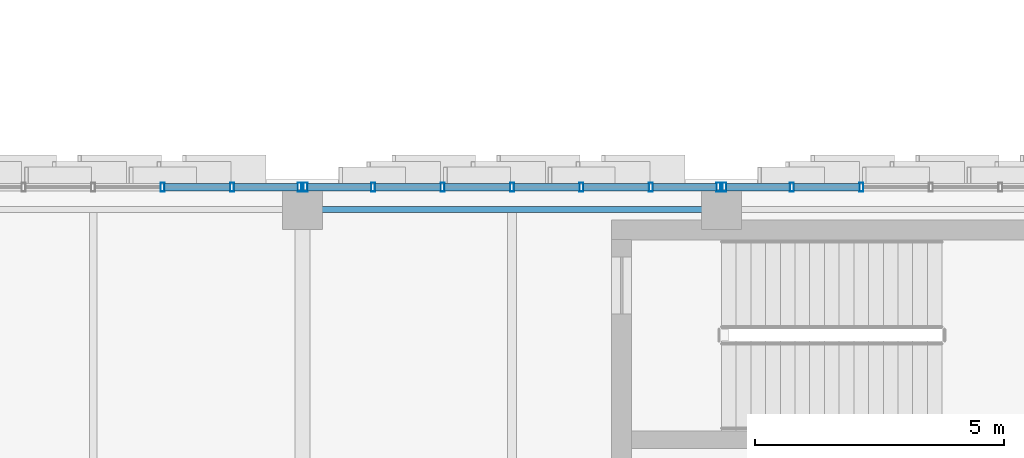
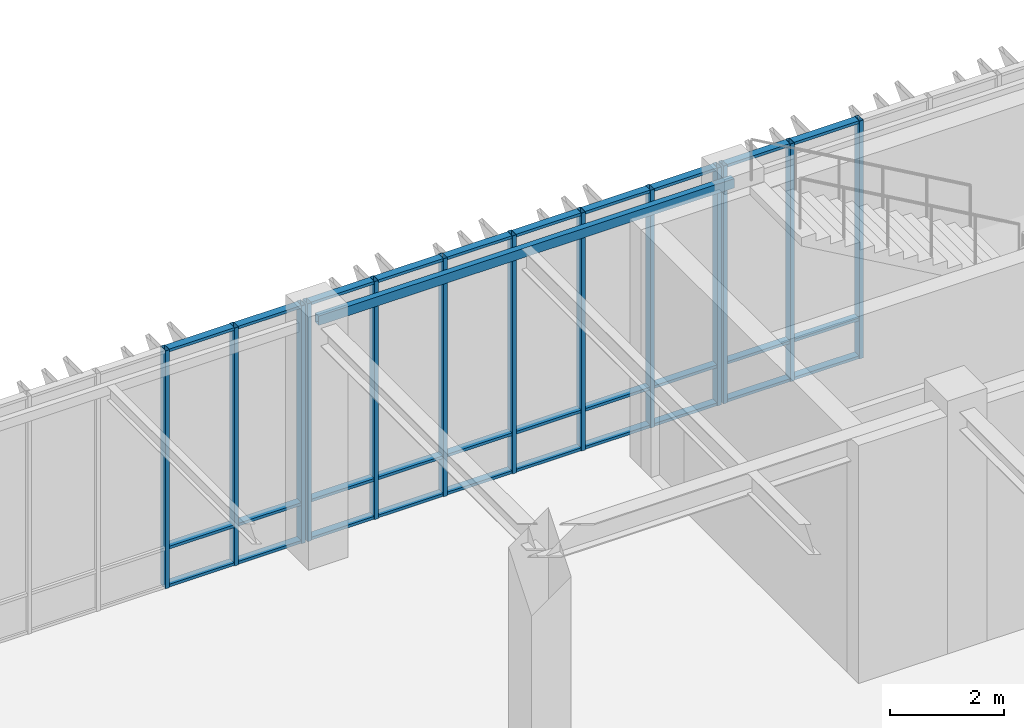
# One storey, part 70 of 139: 43 members, 1 beam, 3 elements without a shape of their own.
"""IFC4 building model written with IfcOpenShell, lengths in metres."""

from ifc_helpers import new_model, si_unit, direction, frame, origin, origin_2d, place, context, subcontext, project, spatial, hollow_rectangle, extrude, material, layer, layer_set, material_profile, profile_set, type_object, element, aggregate, save


model = new_model("IFC4")

# Units and contexts
model_context = context("Model", 3, precision=1e-05, world=origin(), true_north=direction((0.0, 1.0)))
body_context = subcontext(model_context, "Body", "Model", "MODEL_VIEW")
ifc_project = project(units=[si_unit("LENGTHUNIT", "METRE"), si_unit("AREAUNIT", "SQUARE_METRE"), si_unit("VOLUMEUNIT", "CUBIC_METRE"), si_unit("PLANEANGLEUNIT", "RADIAN"), si_unit("MASSUNIT", "GRAM", prefix="KILO")], contexts=[model_context])

# Site, building, storey
site_placement = place(None, origin())
site = spatial("IfcSite", under=ifc_project, at=site_placement, CompositionType="ELEMENT")
building_placement = place(site_placement, origin())
building = spatial("IfcBuilding", under=site, at=building_placement, Name="Zayran Congress Hotel", CompositionType="ELEMENT")
storey_placement = place(building_placement, frame((0.0, 0.0, 5.39990234375)))
storey = spatial("IfcBuildingStorey", under=building, at=storey_placement, Name="L01", CompositionType="ELEMENT", Elevation=5.39990234375)

# Beam
ifc_material_1 = material(Name="Steel S355", Category="steel")
ifc_material_profile_1 = material_profile(ifc_material_1, hollow_rectangle(XDim=0.1201171875, YDim=0.199951171875, WallThickness=0.008056640625, at=origin_2d()), Name="RHS 200x120x8")
ifc_profile_set_1 = profile_set([ifc_material_profile_1], Name="Steel S355")
beam_type = type_object("IfcBeamType", Name="TP-SP-02", PredefinedType="SPANDREL", material=ifc_profile_set_1)
beam_placement = place(storey_placement, frame((75.60009765625, 117.39990234375, 4.97998046875), z_axis=(1.0, 0.0, 0.0), x_axis=(0.0, 1.0, 0.0)))
element("IfcBeam", 1, at=beam_placement, inside=storey, type_object=beam_type, Name="BM-V1-L01-0569", PredefinedType="SPANDREL", context=body_context, shape_type="SweptSolid", body=[
    extrude(hollow_rectangle(XDim=0.1201171875, YDim=0.199951171875, WallThickness=0.008056640625, at=origin_2d()), origin(), (0.0, 0.0, 1.0), 8.39990234375),
])

# Curtain wall, members
ifc_material_2 = material(Name="Anodised aluminium and low-E insulated glass", Category="aluminium")
ifc_layer_1 = layer(ifc_material_2, 0.179931640625)
ifc_layer_set_1 = layer_set([ifc_layer_1], Name="Anodised aluminium and low-E insulated glass")
curtain_wall_type_1 = type_object("IfcCurtainWallType", Name="CW-V1N-L01-CW-22-8360-5080", PredefinedType="USERDEFINED", material=ifc_layer_set_1)
curtain_wall_1_placement = place(storey_placement, origin())
curtain_wall_1 = element("IfcCurtainWall", 2, at=curtain_wall_1_placement, inside=storey, type_object=curtain_wall_type_1, Name="CW-V1N-L01-7", ObjectType="CURTAIN WALL", PredefinedType="USERDEFINED")
ifc_material_3 = material(Name="Anodised aluminium framing", Category="aluminium")
ifc_material_profile_2 = material_profile(ifc_material_3, hollow_rectangle(XDim=0.080078125, YDim=0.179931640625, WallThickness=0.0048828125, at=origin_2d()), Name="RHS 180x80x5")
ifc_profile_set_2 = profile_set([ifc_material_profile_2], Name="Anodised aluminium framing")
member_type_1 = type_object("IfcMemberType", Name="TP-CWM-01", PredefinedType="MULLION", material=ifc_profile_set_2)
member_1_placement = place(storey_placement, frame((75.5400390625, 117.85009765625, 0.0), z_axis=(0.0, 0.0, 1.0), x_axis=(1.0, 0.0, 0.0)))
member_1 = element("IfcMember", 3, at=member_1_placement, type_object=member_type_1, Name="CW-V1N-L01-7-M00", PredefinedType="MULLION", context=body_context, shape_type="SweptSolid", body=[
    extrude(hollow_rectangle(XDim=0.080078125, YDim=0.179931640625, WallThickness=0.0048828125, at=origin_2d()), origin(), (0.0, 0.0, 1.0), 5.080078125),
])
member_2_placement = place(storey_placement, frame((74.186767578125, 117.85009765625, 0.0), z_axis=(0.0, 0.0, 1.0), x_axis=(1.0, 0.0, 0.0)))
member_2 = element("IfcMember", 4, at=member_2_placement, type_object=member_type_1, Name="CW-V1N-L01-7-M01", PredefinedType="MULLION", context=body_context, shape_type="SweptSolid", body=[
    extrude(hollow_rectangle(XDim=0.080078125, YDim=0.179931640625, WallThickness=0.0048828125, at=origin_2d()), origin(), (0.0, 0.0, 1.0), 5.080078125),
])
member_3_placement = place(storey_placement, frame((72.793212890625, 117.85009765625, 0.0), z_axis=(0.0, 0.0, 1.0), x_axis=(1.0, 0.0, 0.0)))
member_3 = element("IfcMember", 5, at=member_3_placement, type_object=member_type_1, Name="CW-V1N-L01-7-M02", PredefinedType="MULLION", context=body_context, shape_type="SweptSolid", body=[
    extrude(hollow_rectangle(XDim=0.080078125, YDim=0.179931640625, WallThickness=0.0048828125, at=origin_2d()), origin(), (0.0, 0.0, 1.0), 5.080078125),
])

ifc_layer_2 = layer(ifc_material_2, 0.179931640625)
ifc_layer_set_2 = layer_set([ifc_layer_2], Name="Anodised aluminium and low-E insulated glass")
curtain_wall_type_2 = type_object("IfcCurtainWallType", Name="CW-V1N-L01-CW-23-8360-5080", PredefinedType="USERDEFINED", material=ifc_layer_set_2)
curtain_wall_2_placement = place(storey_placement, origin())
curtain_wall_2 = element("IfcCurtainWall", 6, at=curtain_wall_2_placement, inside=storey, type_object=curtain_wall_type_2, Name="CW-V1N-L01-8", ObjectType="CURTAIN WALL", PredefinedType="USERDEFINED")
member_4_placement = place(storey_placement, frame((83.93994140625, 117.85009765625, 0.0), z_axis=(0.0, 0.0, 1.0), x_axis=(1.0, 0.0, 0.0)))
member_4 = element("IfcMember", 7, at=member_4_placement, type_object=member_type_1, Name="CW-V1N-L01-8-M00", PredefinedType="MULLION", context=body_context, shape_type="SweptSolid", body=[
    extrude(hollow_rectangle(XDim=0.080078125, YDim=0.179931640625, WallThickness=0.0048828125, at=origin_2d()), origin(), (0.0, 0.0, 1.0), 5.080078125),
])
member_5_placement = place(storey_placement, frame((82.586669921875, 117.85009765625, 0.0), z_axis=(0.0, 0.0, 1.0), x_axis=(1.0, 0.0, 0.0)))
member_5 = element("IfcMember", 8, at=member_5_placement, type_object=member_type_1, Name="CW-V1N-L01-8-M01", PredefinedType="MULLION", context=body_context, shape_type="SweptSolid", body=[
    extrude(hollow_rectangle(XDim=0.080078125, YDim=0.179931640625, WallThickness=0.0048828125, at=origin_2d()), origin(), (0.0, 0.0, 1.0), 5.080078125),
])
member_6_placement = place(storey_placement, frame((81.193359375, 117.85009765625, 0.0), z_axis=(0.0, 0.0, 1.0), x_axis=(1.0, 0.0, 0.0)))
member_6 = element("IfcMember", 9, at=member_6_placement, type_object=member_type_1, Name="CW-V1N-L01-8-M02", PredefinedType="MULLION", context=body_context, shape_type="SweptSolid", body=[
    extrude(hollow_rectangle(XDim=0.080078125, YDim=0.179931640625, WallThickness=0.0048828125, at=origin_2d()), origin(), (0.0, 0.0, 1.0), 5.080078125),
])
member_7_placement = place(storey_placement, frame((79.800048828125, 117.85009765625, 0.0), z_axis=(0.0, 0.0, 1.0), x_axis=(1.0, 0.0, 0.0)))
member_7 = element("IfcMember", 10, at=member_7_placement, type_object=member_type_1, Name="CW-V1N-L01-8-M03", PredefinedType="MULLION", context=body_context, shape_type="SweptSolid", body=[
    extrude(hollow_rectangle(XDim=0.080078125, YDim=0.179931640625, WallThickness=0.0048828125, at=origin_2d()), origin(), (0.0, 0.0, 1.0), 5.080078125),
])
member_8_placement = place(storey_placement, frame((78.40673828125, 117.85009765625, 0.0), z_axis=(0.0, 0.0, 1.0), x_axis=(1.0, 0.0, 0.0)))
member_8 = element("IfcMember", 11, at=member_8_placement, type_object=member_type_1, Name="CW-V1N-L01-8-M04", PredefinedType="MULLION", context=body_context, shape_type="SweptSolid", body=[
    extrude(hollow_rectangle(XDim=0.080078125, YDim=0.179931640625, WallThickness=0.0048828125, at=origin_2d()), origin(), (0.0, 0.0, 1.0), 5.080078125),
])
member_9_placement = place(storey_placement, frame((77.01318359375, 117.85009765625, 0.0), z_axis=(0.0, 0.0, 1.0), x_axis=(1.0, 0.0, 0.0)))
member_9 = element("IfcMember", 12, at=member_9_placement, type_object=member_type_1, Name="CW-V1N-L01-8-M05", PredefinedType="MULLION", context=body_context, shape_type="SweptSolid", body=[
    extrude(hollow_rectangle(XDim=0.080078125, YDim=0.179931640625, WallThickness=0.0048828125, at=origin_2d()), origin(), (0.0, 0.0, 1.0), 5.080078125),
])
member_10_placement = place(storey_placement, frame((75.659912109375, 117.85009765625, 0.0), z_axis=(0.0, 0.0, 1.0), x_axis=(1.0, 0.0, 0.0)))
member_10 = element("IfcMember", 13, at=member_10_placement, type_object=member_type_1, Name="CW-V1N-L01-8-M06", PredefinedType="MULLION", context=body_context, shape_type="SweptSolid", body=[
    extrude(hollow_rectangle(XDim=0.080078125, YDim=0.179931640625, WallThickness=0.0048828125, at=origin_2d()), origin(), (0.0, 0.0, 1.0), 5.080078125),
])

ifc_layer_3 = layer(ifc_material_2, 0.179931640625)
ifc_layer_set_3 = layer_set([ifc_layer_3], Name="Anodised aluminium and low-E insulated glass")
curtain_wall_type_3 = type_object("IfcCurtainWallType", Name="CW-V1N-L01-CW-21-8360-5080", PredefinedType="USERDEFINED", material=ifc_layer_set_3)
curtain_wall_3_placement = place(storey_placement, origin())
curtain_wall_3 = element("IfcCurtainWall", 14, at=curtain_wall_3_placement, inside=storey, type_object=curtain_wall_type_3, Name="CW-V1N-L01-9", ObjectType="CURTAIN WALL", PredefinedType="USERDEFINED")
member_11_placement = place(storey_placement, frame((86.806640625, 117.85009765625, 0.0), z_axis=(0.0, 0.0, 1.0), x_axis=(1.0, 0.0, 0.0)))
member_11 = element("IfcMember", 15, at=member_11_placement, type_object=member_type_1, Name="CW-V1N-L01-9-M04", PredefinedType="MULLION", context=body_context, shape_type="SweptSolid", body=[
    extrude(hollow_rectangle(XDim=0.080078125, YDim=0.179931640625, WallThickness=0.0048828125, at=origin_2d()), origin(), (0.0, 0.0, 1.0), 5.080078125),
])
member_12_placement = place(storey_placement, frame((85.413330078125, 117.85009765625, 0.0), z_axis=(0.0, 0.0, 1.0), x_axis=(1.0, 0.0, 0.0)))
member_12 = element("IfcMember", 16, at=member_12_placement, type_object=member_type_1, Name="CW-V1N-L01-9-M05", PredefinedType="MULLION", context=body_context, shape_type="SweptSolid", body=[
    extrude(hollow_rectangle(XDim=0.080078125, YDim=0.179931640625, WallThickness=0.0048828125, at=origin_2d()), origin(), (0.0, 0.0, 1.0), 5.080078125),
])
member_13_placement = place(storey_placement, frame((84.06005859375, 117.85009765625, 0.0), z_axis=(0.0, 0.0, 1.0), x_axis=(1.0, 0.0, 0.0)))
member_13 = element("IfcMember", 17, at=member_13_placement, type_object=member_type_1, Name="CW-V1N-L01-9-M06", PredefinedType="MULLION", context=body_context, shape_type="SweptSolid", body=[
    extrude(hollow_rectangle(XDim=0.080078125, YDim=0.179931640625, WallThickness=0.0048828125, at=origin_2d()), origin(), (0.0, 0.0, 1.0), 5.080078125),
])

# Member
ifc_material_profile_3 = material_profile(ifc_material_3, hollow_rectangle(XDim=0.06005859375, YDim=0.14990234375, WallThickness=0.00390625, at=origin_2d()), Name="RHS 150x60x4")
ifc_profile_set_3 = profile_set([ifc_material_profile_3], Name="Anodised aluminium framing")
member_type_2 = type_object("IfcMemberType", Name="TP-CWT-01", PredefinedType="USERDEFINED", material=ifc_profile_set_3)
member_14_placement = place(storey_placement, frame((75.5, 117.85009765625, 0.030029296875), z_axis=(-1.0, 0.0, 0.0), x_axis=(0.0, 0.0, 1.0)))
member_14 = element("IfcMember", 18, at=member_14_placement, type_object=member_type_2, Name="CW-V1N-L01-7-T00-0", ObjectType="TRANSOM", PredefinedType="USERDEFINED", context=body_context, shape_type="SweptSolid", body=[
    extrude(hollow_rectangle(XDim=0.06005859375, YDim=0.14990234375, WallThickness=0.00390625, at=origin_2d()), origin(), (0.0, 0.0, 1.0), 1.273193359375),
])

member_15_placement = place(storey_placement, frame((75.5, 117.85009765625, 0.840087890625), z_axis=(-1.0, 0.0, 0.0), x_axis=(0.0, 0.0, 1.0)))
member_15 = element("IfcMember", 19, at=member_15_placement, type_object=member_type_2, Name="CW-V1N-L01-7-T00-1", ObjectType="TRANSOM", PredefinedType="USERDEFINED", context=body_context, shape_type="SweptSolid", body=[
    extrude(hollow_rectangle(XDim=0.06005859375, YDim=0.14990234375, WallThickness=0.00390625, at=origin_2d()), origin(), (0.0, 0.0, 1.0), 1.273193359375),
])

member_16_placement = place(storey_placement, frame((75.5, 117.85009765625, 5.050048828125), z_axis=(-1.0, 0.0, 0.0), x_axis=(0.0, 0.0, 1.0)))
member_16 = element("IfcMember", 20, at=member_16_placement, type_object=member_type_2, Name="CW-V1N-L01-7-T00-2", ObjectType="TRANSOM", PredefinedType="USERDEFINED", context=body_context, shape_type="SweptSolid", body=[
    extrude(hollow_rectangle(XDim=0.06005859375, YDim=0.14990234375, WallThickness=0.00390625, at=origin_2d()), origin(), (0.0, 0.0, 1.0), 1.273193359375),
])

member_17_placement = place(storey_placement, frame((74.146728515625, 117.85009765625, 0.030029296875), z_axis=(-1.0, 0.0, 0.0), x_axis=(0.0, 0.0, 1.0)))
member_17 = element("IfcMember", 21, at=member_17_placement, type_object=member_type_2, Name="CW-V1N-L01-7-T01-0", ObjectType="TRANSOM", PredefinedType="USERDEFINED", context=body_context, shape_type="SweptSolid", body=[
    extrude(hollow_rectangle(XDim=0.06005859375, YDim=0.14990234375, WallThickness=0.00390625, at=origin_2d()), origin(), (0.0, 0.0, 1.0), 1.3134765625),
])

member_18_placement = place(storey_placement, frame((74.146728515625, 117.85009765625, 0.840087890625), z_axis=(-1.0, 0.0, 0.0), x_axis=(0.0, 0.0, 1.0)))
member_18 = element("IfcMember", 22, at=member_18_placement, type_object=member_type_2, Name="CW-V1N-L01-7-T01-1", ObjectType="TRANSOM", PredefinedType="USERDEFINED", context=body_context, shape_type="SweptSolid", body=[
    extrude(hollow_rectangle(XDim=0.06005859375, YDim=0.14990234375, WallThickness=0.00390625, at=origin_2d()), origin(), (0.0, 0.0, 1.0), 1.3134765625),
])

member_19_placement = place(storey_placement, frame((74.146728515625, 117.85009765625, 5.050048828125), z_axis=(-1.0, 0.0, 0.0), x_axis=(0.0, 0.0, 1.0)))
member_19 = element("IfcMember", 23, at=member_19_placement, type_object=member_type_2, Name="CW-V1N-L01-7-T01-2", ObjectType="TRANSOM", PredefinedType="USERDEFINED", context=body_context, shape_type="SweptSolid", body=[
    extrude(hollow_rectangle(XDim=0.06005859375, YDim=0.14990234375, WallThickness=0.00390625, at=origin_2d()), origin(), (0.0, 0.0, 1.0), 1.3134765625),
])

aggregate(curtain_wall_1, [member_1, member_2, member_3, member_14, member_15, member_16, member_17, member_18, member_19])

member_20_placement = place(storey_placement, frame((83.89990234375, 117.85009765625, 0.030029296875), z_axis=(-1.0, 0.0, 0.0), x_axis=(0.0, 0.0, 1.0)))
member_20 = element("IfcMember", 24, at=member_20_placement, type_object=member_type_2, Name="CW-V1N-L01-8-T00-0", ObjectType="TRANSOM", PredefinedType="USERDEFINED", context=body_context, shape_type="SweptSolid", body=[
    extrude(hollow_rectangle(XDim=0.06005859375, YDim=0.14990234375, WallThickness=0.00390625, at=origin_2d()), origin(), (0.0, 0.0, 1.0), 1.273193359375),
])

member_21_placement = place(storey_placement, frame((83.89990234375, 117.85009765625, 0.840087890625), z_axis=(-1.0, 0.0, 0.0), x_axis=(0.0, 0.0, 1.0)))
member_21 = element("IfcMember", 25, at=member_21_placement, type_object=member_type_2, Name="CW-V1N-L01-8-T00-1", ObjectType="TRANSOM", PredefinedType="USERDEFINED", context=body_context, shape_type="SweptSolid", body=[
    extrude(hollow_rectangle(XDim=0.06005859375, YDim=0.14990234375, WallThickness=0.00390625, at=origin_2d()), origin(), (0.0, 0.0, 1.0), 1.273193359375),
])

member_22_placement = place(storey_placement, frame((83.89990234375, 117.85009765625, 5.050048828125), z_axis=(-1.0, 0.0, 0.0), x_axis=(0.0, 0.0, 1.0)))
member_22 = element("IfcMember", 26, at=member_22_placement, type_object=member_type_2, Name="CW-V1N-L01-8-T00-2", ObjectType="TRANSOM", PredefinedType="USERDEFINED", context=body_context, shape_type="SweptSolid", body=[
    extrude(hollow_rectangle(XDim=0.06005859375, YDim=0.14990234375, WallThickness=0.00390625, at=origin_2d()), origin(), (0.0, 0.0, 1.0), 1.273193359375),
])

member_23_placement = place(storey_placement, frame((82.546630859375, 117.85009765625, 0.030029296875), z_axis=(-1.0, 0.0, 0.0), x_axis=(0.0, 0.0, 1.0)))
member_23 = element("IfcMember", 27, at=member_23_placement, type_object=member_type_2, Name="CW-V1N-L01-8-T01-0", ObjectType="TRANSOM", PredefinedType="USERDEFINED", context=body_context, shape_type="SweptSolid", body=[
    extrude(hollow_rectangle(XDim=0.06005859375, YDim=0.14990234375, WallThickness=0.00390625, at=origin_2d()), origin(), (0.0, 0.0, 1.0), 1.313232421875),
])

member_24_placement = place(storey_placement, frame((82.546630859375, 117.85009765625, 0.840087890625), z_axis=(-1.0, 0.0, 0.0), x_axis=(0.0, 0.0, 1.0)))
member_24 = element("IfcMember", 28, at=member_24_placement, type_object=member_type_2, Name="CW-V1N-L01-8-T01-1", ObjectType="TRANSOM", PredefinedType="USERDEFINED", context=body_context, shape_type="SweptSolid", body=[
    extrude(hollow_rectangle(XDim=0.06005859375, YDim=0.14990234375, WallThickness=0.00390625, at=origin_2d()), origin(), (0.0, 0.0, 1.0), 1.313232421875),
])

member_25_placement = place(storey_placement, frame((82.546630859375, 117.85009765625, 5.050048828125), z_axis=(-1.0, 0.0, 0.0), x_axis=(0.0, 0.0, 1.0)))
member_25 = element("IfcMember", 29, at=member_25_placement, type_object=member_type_2, Name="CW-V1N-L01-8-T01-2", ObjectType="TRANSOM", PredefinedType="USERDEFINED", context=body_context, shape_type="SweptSolid", body=[
    extrude(hollow_rectangle(XDim=0.06005859375, YDim=0.14990234375, WallThickness=0.00390625, at=origin_2d()), origin(), (0.0, 0.0, 1.0), 1.313232421875),
])

member_26_placement = place(storey_placement, frame((81.1533203125, 117.85009765625, 0.030029296875), z_axis=(-1.0, 0.0, 0.0), x_axis=(0.0, 0.0, 1.0)))
member_26 = element("IfcMember", 30, at=member_26_placement, type_object=member_type_2, Name="CW-V1N-L01-8-T02-0", ObjectType="TRANSOM", PredefinedType="USERDEFINED", context=body_context, shape_type="SweptSolid", body=[
    extrude(hollow_rectangle(XDim=0.06005859375, YDim=0.14990234375, WallThickness=0.00390625, at=origin_2d()), origin(), (0.0, 0.0, 1.0), 1.313232421875),
])

member_27_placement = place(storey_placement, frame((81.1533203125, 117.85009765625, 0.840087890625), z_axis=(-1.0, 0.0, 0.0), x_axis=(0.0, 0.0, 1.0)))
member_27 = element("IfcMember", 31, at=member_27_placement, type_object=member_type_2, Name="CW-V1N-L01-8-T02-1", ObjectType="TRANSOM", PredefinedType="USERDEFINED", context=body_context, shape_type="SweptSolid", body=[
    extrude(hollow_rectangle(XDim=0.06005859375, YDim=0.14990234375, WallThickness=0.00390625, at=origin_2d()), origin(), (0.0, 0.0, 1.0), 1.313232421875),
])

member_28_placement = place(storey_placement, frame((81.1533203125, 117.85009765625, 5.050048828125), z_axis=(-1.0, 0.0, 0.0), x_axis=(0.0, 0.0, 1.0)))
member_28 = element("IfcMember", 32, at=member_28_placement, type_object=member_type_2, Name="CW-V1N-L01-8-T02-2", ObjectType="TRANSOM", PredefinedType="USERDEFINED", context=body_context, shape_type="SweptSolid", body=[
    extrude(hollow_rectangle(XDim=0.06005859375, YDim=0.14990234375, WallThickness=0.00390625, at=origin_2d()), origin(), (0.0, 0.0, 1.0), 1.313232421875),
])

member_29_placement = place(storey_placement, frame((79.760009765625, 117.85009765625, 0.030029296875), z_axis=(-1.0, 0.0, 0.0), x_axis=(0.0, 0.0, 1.0)))
member_29 = element("IfcMember", 33, at=member_29_placement, type_object=member_type_2, Name="CW-V1N-L01-8-T03-0", ObjectType="TRANSOM", PredefinedType="USERDEFINED", context=body_context, shape_type="SweptSolid", body=[
    extrude(hollow_rectangle(XDim=0.06005859375, YDim=0.14990234375, WallThickness=0.00390625, at=origin_2d()), origin(), (0.0, 0.0, 1.0), 1.313232421875),
])

member_30_placement = place(storey_placement, frame((79.760009765625, 117.85009765625, 0.840087890625), z_axis=(-1.0, 0.0, 0.0), x_axis=(0.0, 0.0, 1.0)))
member_30 = element("IfcMember", 34, at=member_30_placement, type_object=member_type_2, Name="CW-V1N-L01-8-T03-1", ObjectType="TRANSOM", PredefinedType="USERDEFINED", context=body_context, shape_type="SweptSolid", body=[
    extrude(hollow_rectangle(XDim=0.06005859375, YDim=0.14990234375, WallThickness=0.00390625, at=origin_2d()), origin(), (0.0, 0.0, 1.0), 1.313232421875),
])

member_31_placement = place(storey_placement, frame((79.760009765625, 117.85009765625, 5.050048828125), z_axis=(-1.0, 0.0, 0.0), x_axis=(0.0, 0.0, 1.0)))
member_31 = element("IfcMember", 35, at=member_31_placement, type_object=member_type_2, Name="CW-V1N-L01-8-T03-2", ObjectType="TRANSOM", PredefinedType="USERDEFINED", context=body_context, shape_type="SweptSolid", body=[
    extrude(hollow_rectangle(XDim=0.06005859375, YDim=0.14990234375, WallThickness=0.00390625, at=origin_2d()), origin(), (0.0, 0.0, 1.0), 1.313232421875),
])

member_32_placement = place(storey_placement, frame((78.36669921875, 117.85009765625, 0.030029296875), z_axis=(-1.0, 0.0, 0.0), x_axis=(0.0, 0.0, 1.0)))
member_32 = element("IfcMember", 36, at=member_32_placement, type_object=member_type_2, Name="CW-V1N-L01-8-T04-0", ObjectType="TRANSOM", PredefinedType="USERDEFINED", context=body_context, shape_type="SweptSolid", body=[
    extrude(hollow_rectangle(XDim=0.06005859375, YDim=0.14990234375, WallThickness=0.00390625, at=origin_2d()), origin(), (0.0, 0.0, 1.0), 1.3134765625),
])

member_33_placement = place(storey_placement, frame((78.36669921875, 117.85009765625, 0.840087890625), z_axis=(-1.0, 0.0, 0.0), x_axis=(0.0, 0.0, 1.0)))
member_33 = element("IfcMember", 37, at=member_33_placement, type_object=member_type_2, Name="CW-V1N-L01-8-T04-1", ObjectType="TRANSOM", PredefinedType="USERDEFINED", context=body_context, shape_type="SweptSolid", body=[
    extrude(hollow_rectangle(XDim=0.06005859375, YDim=0.14990234375, WallThickness=0.00390625, at=origin_2d()), origin(), (0.0, 0.0, 1.0), 1.3134765625),
])

member_34_placement = place(storey_placement, frame((78.36669921875, 117.85009765625, 5.050048828125), z_axis=(-1.0, 0.0, 0.0), x_axis=(0.0, 0.0, 1.0)))
member_34 = element("IfcMember", 38, at=member_34_placement, type_object=member_type_2, Name="CW-V1N-L01-8-T04-2", ObjectType="TRANSOM", PredefinedType="USERDEFINED", context=body_context, shape_type="SweptSolid", body=[
    extrude(hollow_rectangle(XDim=0.06005859375, YDim=0.14990234375, WallThickness=0.00390625, at=origin_2d()), origin(), (0.0, 0.0, 1.0), 1.3134765625),
])

member_35_placement = place(storey_placement, frame((76.973388671875, 117.85009765625, 0.030029296875), z_axis=(-1.0, 0.0, 0.0), x_axis=(0.0, 0.0, 1.0)))
member_35 = element("IfcMember", 39, at=member_35_placement, type_object=member_type_2, Name="CW-V1N-L01-8-T05-0", ObjectType="TRANSOM", PredefinedType="USERDEFINED", context=body_context, shape_type="SweptSolid", body=[
    extrude(hollow_rectangle(XDim=0.06005859375, YDim=0.14990234375, WallThickness=0.00390625, at=origin_2d()), origin(), (0.0, 0.0, 1.0), 1.2734375),
])

member_36_placement = place(storey_placement, frame((76.973388671875, 117.85009765625, 0.840087890625), z_axis=(-1.0, 0.0, 0.0), x_axis=(0.0, 0.0, 1.0)))
member_36 = element("IfcMember", 40, at=member_36_placement, type_object=member_type_2, Name="CW-V1N-L01-8-T05-1", ObjectType="TRANSOM", PredefinedType="USERDEFINED", context=body_context, shape_type="SweptSolid", body=[
    extrude(hollow_rectangle(XDim=0.06005859375, YDim=0.14990234375, WallThickness=0.00390625, at=origin_2d()), origin(), (0.0, 0.0, 1.0), 1.2734375),
])

member_37_placement = place(storey_placement, frame((76.973388671875, 117.85009765625, 5.050048828125), z_axis=(-1.0, 0.0, 0.0), x_axis=(0.0, 0.0, 1.0)))
member_37 = element("IfcMember", 41, at=member_37_placement, type_object=member_type_2, Name="CW-V1N-L01-8-T05-2", ObjectType="TRANSOM", PredefinedType="USERDEFINED", context=body_context, shape_type="SweptSolid", body=[
    extrude(hollow_rectangle(XDim=0.06005859375, YDim=0.14990234375, WallThickness=0.00390625, at=origin_2d()), origin(), (0.0, 0.0, 1.0), 1.2734375),
])

aggregate(curtain_wall_2, [member_4, member_5, member_6, member_7, member_8, member_9, member_10, member_20, member_21, member_22, member_23, member_24, member_25, member_26, member_27, member_28, member_29, member_30, member_31, member_32, member_33, member_34, member_35, member_36, member_37])

member_38_placement = place(storey_placement, frame((86.7666015625, 117.85009765625, 0.030029296875), z_axis=(-1.0, 0.0, 0.0), x_axis=(0.0, 0.0, 1.0)))
member_38 = element("IfcMember", 42, at=member_38_placement, type_object=member_type_2, Name="CW-V1N-L01-9-T04-0", ObjectType="TRANSOM", PredefinedType="USERDEFINED", context=body_context, shape_type="SweptSolid", body=[
    extrude(hollow_rectangle(XDim=0.06005859375, YDim=0.14990234375, WallThickness=0.00390625, at=origin_2d()), origin(), (0.0, 0.0, 1.0), 1.313232421875),
])

member_39_placement = place(storey_placement, frame((86.7666015625, 117.85009765625, 0.840087890625), z_axis=(-1.0, 0.0, 0.0), x_axis=(0.0, 0.0, 1.0)))
member_39 = element("IfcMember", 43, at=member_39_placement, type_object=member_type_2, Name="CW-V1N-L01-9-T04-1", ObjectType="TRANSOM", PredefinedType="USERDEFINED", context=body_context, shape_type="SweptSolid", body=[
    extrude(hollow_rectangle(XDim=0.06005859375, YDim=0.14990234375, WallThickness=0.00390625, at=origin_2d()), origin(), (0.0, 0.0, 1.0), 1.313232421875),
])

member_40_placement = place(storey_placement, frame((86.7666015625, 117.85009765625, 5.050048828125), z_axis=(-1.0, 0.0, 0.0), x_axis=(0.0, 0.0, 1.0)))
member_40 = element("IfcMember", 44, at=member_40_placement, type_object=member_type_2, Name="CW-V1N-L01-9-T04-2", ObjectType="TRANSOM", PredefinedType="USERDEFINED", context=body_context, shape_type="SweptSolid", body=[
    extrude(hollow_rectangle(XDim=0.06005859375, YDim=0.14990234375, WallThickness=0.00390625, at=origin_2d()), origin(), (0.0, 0.0, 1.0), 1.313232421875),
])

member_41_placement = place(storey_placement, frame((85.373291015625, 117.85009765625, 0.030029296875), z_axis=(-1.0, 0.0, 0.0), x_axis=(0.0, 0.0, 1.0)))
member_41 = element("IfcMember", 45, at=member_41_placement, type_object=member_type_2, Name="CW-V1N-L01-9-T05-0", ObjectType="TRANSOM", PredefinedType="USERDEFINED", context=body_context, shape_type="SweptSolid", body=[
    extrude(hollow_rectangle(XDim=0.06005859375, YDim=0.14990234375, WallThickness=0.00390625, at=origin_2d()), origin(), (0.0, 0.0, 1.0), 1.273193359375),
])

member_42_placement = place(storey_placement, frame((85.373291015625, 117.85009765625, 0.840087890625), z_axis=(-1.0, 0.0, 0.0), x_axis=(0.0, 0.0, 1.0)))
member_42 = element("IfcMember", 46, at=member_42_placement, type_object=member_type_2, Name="CW-V1N-L01-9-T05-1", ObjectType="TRANSOM", PredefinedType="USERDEFINED", context=body_context, shape_type="SweptSolid", body=[
    extrude(hollow_rectangle(XDim=0.06005859375, YDim=0.14990234375, WallThickness=0.00390625, at=origin_2d()), origin(), (0.0, 0.0, 1.0), 1.273193359375),
])

member_43_placement = place(storey_placement, frame((85.373291015625, 117.85009765625, 5.050048828125), z_axis=(-1.0, 0.0, 0.0), x_axis=(0.0, 0.0, 1.0)))
member_43 = element("IfcMember", 47, at=member_43_placement, type_object=member_type_2, Name="CW-V1N-L01-9-T05-2", ObjectType="TRANSOM", PredefinedType="USERDEFINED", context=body_context, shape_type="SweptSolid", body=[
    extrude(hollow_rectangle(XDim=0.06005859375, YDim=0.14990234375, WallThickness=0.00390625, at=origin_2d()), origin(), (0.0, 0.0, 1.0), 1.273193359375),
])

aggregate(curtain_wall_3, [member_11, member_12, member_13, member_38, member_39, member_40, member_41, member_42, member_43])

save(model, "model.ifc")
